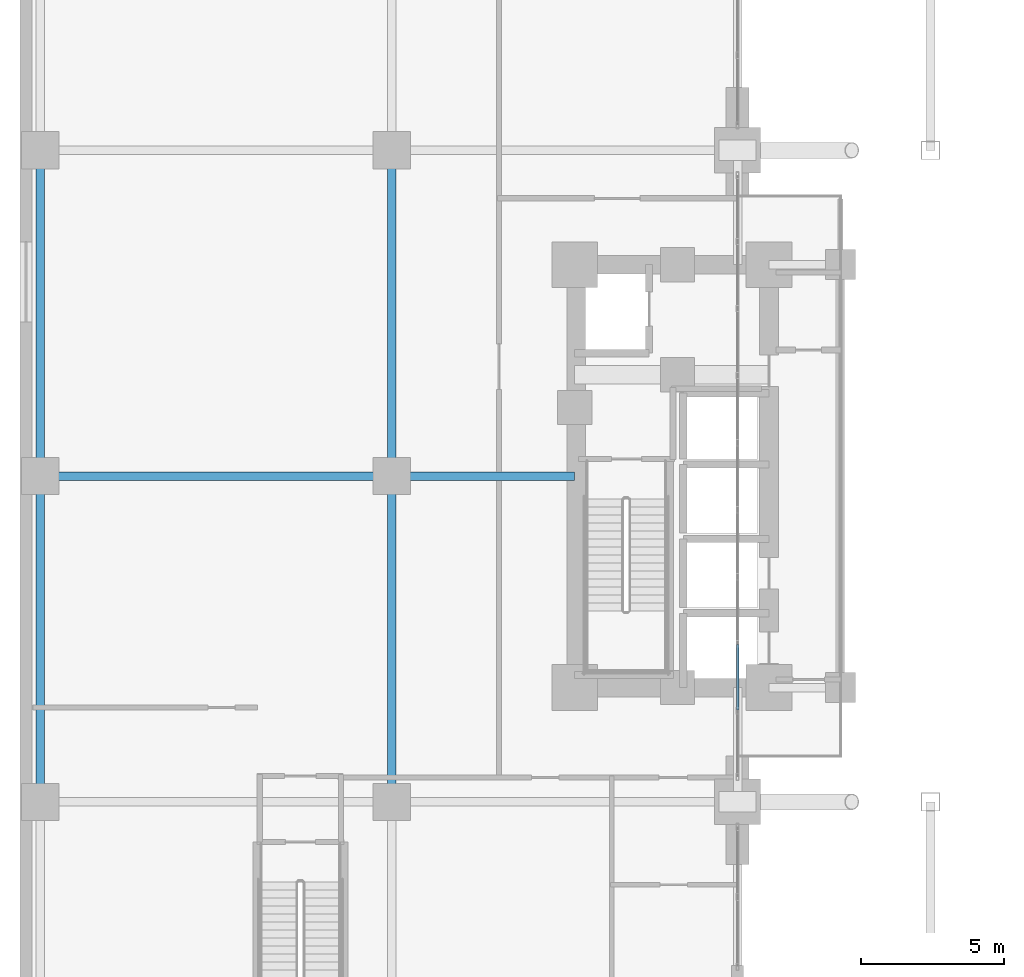
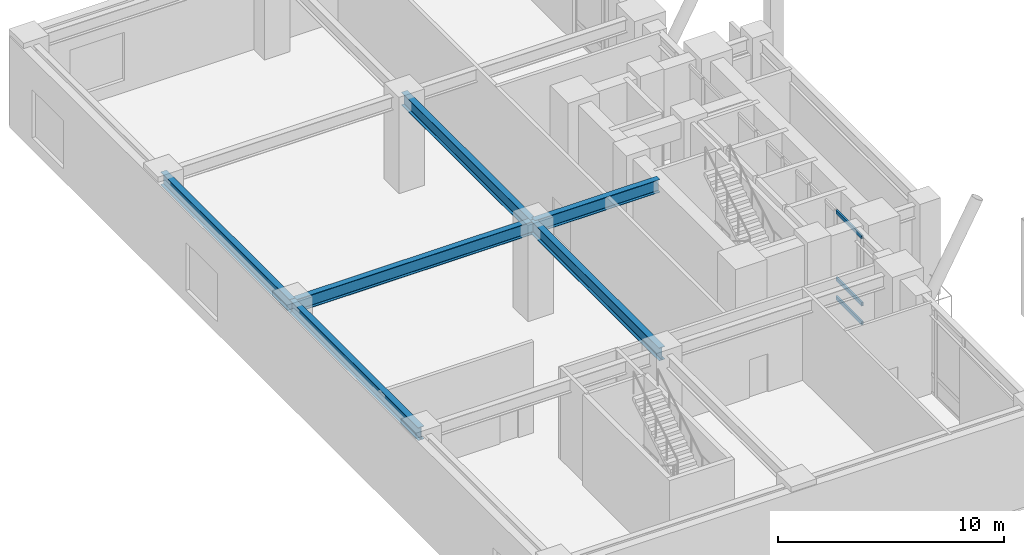
# One storey, part 4 of 27: 6 beams, 3 members, 1 element without a shape of its own.
"""IFC4 building model written with IfcOpenShell, lengths in metres."""

import ifcopenshell
import ifcopenshell.guid

model = None  # the IFC model being written
_history = None  # IfcOwnerHistory: only IFC2X3 demands one
_inside = {}  # id of a spatial element -> (the spatial element, [elements in it])
_under = {}  # id of a project, library or spatial element -> (it, [spatial elements below it])
_declared = {}  # id of a project -> (the project, [libraries it declares])
_typed = {}  # id of a type object -> (the type object, [elements of that type])
_made_of = {}  # id of a material, layer set ... -> (it, [elements and type objects made of it])


def new_model(schema):
    """Start an empty IFC model of exactly this schema.

    Asked for "IFC4X3", IfcOpenShell would pick the latest addendum, in which some entities
    have other attributes; the version numbers below select the first issue.
    IFC2X3 requires an IfcOwnerHistory on every rooted entity: one is made here for all.
    """
    global model, _history
    if schema == "IFC4X3":
        model = ifcopenshell.file(schema_version=(4, 3, 0, 0))
    else:
        model = ifcopenshell.file(schema=schema)
    _inside.clear()
    _under.clear()
    _declared.clear()
    _typed.clear()
    _made_of.clear()
    _history = None
    if model.schema == "IFC2X3":
        org = make("IfcOrganization", Name="unknown")
        user = make(
            "IfcPersonAndOrganization",
            ThePerson=make("IfcPerson", FamilyName="unknown"),
            TheOrganization=org,
        )
        app = make(
            "IfcApplication",
            ApplicationDeveloper=org,
            Version="unknown",
            ApplicationFullName="unknown",
            ApplicationIdentifier="unknown",
        )
        _history = make(
            "IfcOwnerHistory",
            OwningUser=user,
            OwningApplication=app,
            ChangeAction="ADDED",
            CreationDate=0,
        )
    return model


def make(cls, **values):
    """One entity of the class cls with the attributes given. An attribute that is None is left unset."""
    return model.create_entity(
        cls, **{name: value for name, value in values.items() if value is not None}
    )


def rooted(cls, **values):
    """An entity with a GlobalId (a new one), such as an element, a storey or a relation."""
    return make(cls, GlobalId=ifcopenshell.guid.new(), OwnerHistory=_history, **values)


def si_unit(unit_type, name, prefix=None):
    """IfcSIUnit, for example si_unit("LENGTHUNIT", "METRE", prefix="MILLI")."""
    return make("IfcSIUnit", UnitType=unit_type, Prefix=prefix, Name=name)


def assignment(units):
    """IfcUnitAssignment: the units of a project."""
    return None if units is None else make("IfcUnitAssignment", Units=units)


def point(xyz):
    """IfcCartesianPoint."""
    return None if xyz is None else make("IfcCartesianPoint", Coordinates=xyz)


def direction(xyz):
    """IfcDirection."""
    return None if xyz is None else make("IfcDirection", DirectionRatios=xyz)


def frame(location, z_axis=None, x_axis=None):
    """IfcAxis2Placement3D, a coordinate frame: its origin and axes. An axis left out is left unset."""
    return make(
        "IfcAxis2Placement3D",
        Location=point(location),
        Axis=direction(z_axis),
        RefDirection=direction(x_axis),
    )


def frame_2d(location, x_axis=None):
    """IfcAxis2Placement2D, a coordinate frame in the plane: its origin and x axis."""
    return make(
        "IfcAxis2Placement2D", Location=point(location), RefDirection=direction(x_axis)
    )


def origin():
    """The frame at (0, 0, 0) with its axes left unset."""
    return frame((0.0, 0.0, 0.0))


def origin_2d():
    """The frame at (0, 0) in the plane with its x axis left unset."""
    return frame_2d((0.0, 0.0))


def place(relative_to, where):
    """IfcLocalPlacement: puts the frame where relative to a parent placement (None: the world)."""
    return make(
        "IfcLocalPlacement", PlacementRelTo=relative_to, RelativePlacement=where
    )


def context(
    kind, dimensions, precision=None, world=None, true_north=None, identifier=None
):
    """IfcGeometricRepresentationContext, for example the 3D "Model" context."""
    return make(
        "IfcGeometricRepresentationContext",
        ContextIdentifier=identifier,
        ContextType=kind,
        CoordinateSpaceDimension=dimensions,
        Precision=precision,
        WorldCoordinateSystem=world,
        TrueNorth=true_north,
    )


def subcontext(parent, identifier, kind, view, scale=None):
    """IfcGeometricRepresentationSubContext, for example "Body" below "Model"."""
    return make(
        "IfcGeometricRepresentationSubContext",
        ContextIdentifier=identifier,
        ContextType=kind,
        ParentContext=parent,
        TargetScale=scale,
        TargetView=view,
    )


def project(units=None, contexts=None):
    """IfcProject with its units and contexts."""
    return rooted(
        "IfcProject",
        Name="project",
        RepresentationContexts=contexts,
        UnitsInContext=assignment(units),
    )


def spatial(cls, under=None, at=None, **own):
    """A site, building, storey or space (cls), placed at a placement, below another one or the project."""
    s = rooted(cls, ObjectPlacement=at, **own)
    if under is not None:
        _under.setdefault(under.id(), (under, []))[1].append(s)
    return s


def profile(cls, at=None, kind="AREA", **sizes):
    """A parametric profile (cls). Its sizes go by their IFC names, for example OverallWidth=200.0."""
    return make(cls, ProfileType=kind, Position=at, **sizes)


def hollow_rectangle(**sizes):
    """IfcRectangleHollowProfileDef."""
    return profile("IfcRectangleHollowProfileDef", **sizes)


def i_section(**sizes):
    """IfcIShapeProfileDef."""
    return profile("IfcIShapeProfileDef", **sizes)


def extrude(swept, where, along, depth):
    """IfcExtrudedAreaSolid: the profile swept, set in the frame where, extruded along a direction by depth."""
    return make(
        "IfcExtrudedAreaSolid",
        SweptArea=swept,
        Position=where,
        ExtrudedDirection=direction(along),
        Depth=depth,
    )


def shape(context_of_items, identifier, shape_type, items):
    """IfcShapeRepresentation: the items that make up one representation, for example the "Body"."""
    return make(
        "IfcShapeRepresentation",
        ContextOfItems=context_of_items,
        RepresentationIdentifier=identifier,
        RepresentationType=shape_type,
        Items=items,
    )


def material(Name=None, Category=None):
    """IfcMaterial."""
    return make("IfcMaterial", Name=Name, Category=Category)


def layer(
    of_material, thickness, ventilated=None, Name=None, Category=None, Priority=None
):
    """IfcMaterialLayer: one layer of a wall or slab, of a material (None: an air gap)."""
    return make(
        "IfcMaterialLayer",
        Material=of_material,
        LayerThickness=thickness,
        IsVentilated=ventilated,
        Name=Name,
        Category=Category,
        Priority=Priority,
    )


def layer_set(layers, Name=None):
    """IfcMaterialLayerSet."""
    return make("IfcMaterialLayerSet", MaterialLayers=layers, LayerSetName=Name)


def material_profile(
    of_material, cross_section, Name=None, Category=None, Priority=None
):
    """IfcMaterialProfile: a cross section and its material."""
    return make(
        "IfcMaterialProfile",
        Name=Name,
        Material=of_material,
        Profile=cross_section,
        Priority=Priority,
        Category=Category,
    )


def profile_set(profiles, Name=None, composite=None):
    """IfcMaterialProfileSet."""
    return make(
        "IfcMaterialProfileSet",
        Name=Name,
        MaterialProfiles=profiles,
        CompositeProfile=composite,
    )


def made_of(thing, what):
    """Note that an element or type object is made of a material, layer set ...; save() writes the relation."""
    if what is not None:
        _made_of.setdefault(what.id(), (what, []))[1].append(thing)
    return thing


def type_object(cls, material=None, **own):
    """A type object (cls), such as IfcWallType, which elements share."""
    return made_of(rooted(cls, **own), material)


def element(
    cls,
    number,
    at=None,
    inside=None,
    cuts=None,
    type_object=None,
    material=None,
    context=None,
    identifier="Body",
    shape_type=None,
    held_by="IfcProductDefinitionShape",
    body=None,
    shapes=None,
    **own,
):
    """One element of the class cls, such as IfcWall. Its Tag is "e" and its number.

    at: its placement. inside: the storey or other place that contains it. cuts: it is an
    opening in that element (IfcRelVoidsElement). A single representation is given by context,
    identifier, shape_type and body (its items); several are given by shapes. held_by: the class
    of the entity that holds the representations. save() writes the other relations.
    """
    e = rooted(cls, Tag="e%d" % number, ObjectPlacement=at, **own)
    if body is not None:
        shapes = [shape(context, identifier, shape_type, body)]
    if shapes is not None:
        e.Representation = make(held_by, Representations=shapes)
    if inside is not None:
        _inside.setdefault(inside.id(), (inside, []))[1].append(e)
    if cuts is not None:
        rooted(
            "IfcRelVoidsElement", RelatingBuildingElement=cuts, RelatedOpeningElement=e
        )
    if type_object is not None:
        _typed.setdefault(type_object.id(), (type_object, []))[1].append(e)
    return made_of(e, material)


def aggregate(whole, parts):
    """IfcRelAggregates: a whole, such as a stair, and the parts it consists of."""
    return rooted("IfcRelAggregates", RelatingObject=whole, RelatedObjects=parts)


def save(model, path):
    """Write the relations noted so far, then the file.

    IfcRelAggregates (storeys below a building ...), IfcRelContainedInSpatialStructure (elements
    in a storey), IfcRelDefinesByType, IfcRelAssociatesMaterial and IfcRelDeclares: one each for
    every whole, place, type object, material and project.
    """
    for whole, parts in _under.values():
        aggregate(whole, parts)
    for where, things in _inside.values():
        rooted(
            "IfcRelContainedInSpatialStructure",
            RelatedElements=things,
            RelatingStructure=where,
        )
    for kind, things in _typed.values():
        rooted("IfcRelDefinesByType", RelatedObjects=things, RelatingType=kind)
    for what, things in _made_of.values():
        rooted("IfcRelAssociatesMaterial", RelatedObjects=things, RelatingMaterial=what)
    for by, libraries in _declared.values():
        rooted("IfcRelDeclares", RelatingContext=by, RelatedDefinitions=libraries)
    model.write(path)


model = new_model("IFC4")

# Units and contexts
model_context = context("Model", 3, precision=1e-05, world=origin(), true_north=direction((0.0, 1.0)))
body_context = subcontext(model_context, "Body", "Model", "MODEL_VIEW")
ifc_project = project(units=[si_unit("LENGTHUNIT", "METRE"), si_unit("AREAUNIT", "SQUARE_METRE"), si_unit("VOLUMEUNIT", "CUBIC_METRE"), si_unit("PLANEANGLEUNIT", "RADIAN"), si_unit("MASSUNIT", "GRAM", prefix="KILO")], contexts=[model_context])

# Site, building, storey
site_placement = place(None, origin())
site = spatial("IfcSite", under=ifc_project, at=site_placement, CompositionType="ELEMENT")
building_placement = place(site_placement, origin())
building = spatial("IfcBuilding", under=site, at=building_placement, Name="Voryun Gate Residences", CompositionType="ELEMENT")
storey_placement = place(building_placement, frame((0.0, 0.0, 5.199951171875)))
storey = spatial("IfcBuildingStorey", under=building, at=storey_placement, Name="L01", CompositionType="ELEMENT", Elevation=5.199951171875)

# Beams
ifc_material_1 = material(Name="Steel SM355", Category="steel")
ifc_material_profile_1 = material_profile(ifc_material_1, i_section(OverallWidth=0.300048828125, OverallDepth=0.699951171875, WebThickness=0.012939453125, FlangeThickness=0.02392578125, FilletRadius=0.01806640625, at=origin_2d()), Name="H-700x300x13x24")
ifc_profile_set_1 = profile_set([ifc_material_profile_1], Name="Steel SM355")
beam_type = type_object("IfcBeamType", Name="BM_GIRD_700", PredefinedType="USERDEFINED", material=ifc_profile_set_1)
beam_1_placement = place(storey_placement, frame((-37.89990234375, 0.0, 4.570068359375), z_axis=(1.0, 0.0, 0.0), x_axis=(0.0, 1.0, 0.0)))
element("IfcBeam", 1, at=beam_1_placement, inside=storey, type_object=beam_type, Name="BM-L01-PWX-+0.0-0", ObjectType="GIRDER", PredefinedType="USERDEFINED", context=body_context, shape_type="SweptSolid", body=[
    extrude(i_section(OverallWidth=0.300048828125, OverallDepth=0.699951171875, WebThickness=0.012939453125, FlangeThickness=0.02392578125, FilletRadius=0.01806640625, at=origin_2d()), origin(), (0.0, 0.0, 1.0), 12.2998046875),
])
beam_2_placement = place(storey_placement, frame((-25.60009765625, 0.0, 4.570068359375), z_axis=(1.0, 0.0, 0.0), x_axis=(0.0, 1.0, 0.0)))
element("IfcBeam", 2, at=beam_2_placement, inside=storey, type_object=beam_type, Name="BM-L01-PWX-+0.0-1", ObjectType="GIRDER", PredefinedType="USERDEFINED", context=body_context, shape_type="SweptSolid", body=[
    extrude(i_section(OverallWidth=0.300048828125, OverallDepth=0.699951171875, WebThickness=0.012939453125, FlangeThickness=0.02392578125, FilletRadius=0.01806640625, at=origin_2d()), origin(), (0.0, 0.0, 1.0), 6.400146484375),
])
for number, where, z_axis, x_axis, name in (
    (3, (-37.89990234375, -11.39990234375, 4.570068359375), (0.0, 1.0, 0.0), (-1.0, 0.0, 0.0), "BM-L01-PWY--37.9-1"),
    (4, (-37.89990234375, 0.0, 4.570068359375), (0.0, 1.0, 0.0), (-1.0, 0.0, 0.0), "BM-L01-PWY--37.9-2"),
    (5, (-25.60009765625, -11.39990234375, 4.570068359375), (0.0, 1.0, 0.0), (-1.0, 0.0, 0.0), "BM-L01-PWY--25.6-1"),
    (6, (-25.60009765625, 0.0, 4.570068359375), (0.0, 1.0, 0.0), (-1.0, 0.0, 0.0), "BM-L01-PWY--25.6-2"),
):
    element("IfcBeam", number, at=place(storey_placement, frame(where, z_axis=z_axis, x_axis=x_axis)), inside=storey, type_object=beam_type, Name=name, ObjectType="GIRDER", PredefinedType="USERDEFINED", context=body_context, shape_type="SweptSolid", body=[
        extrude(i_section(OverallWidth=0.300048828125, OverallDepth=0.699951171875, WebThickness=0.012939453125, FlangeThickness=0.02392578125, FilletRadius=0.01806640625, at=origin_2d()), origin(), (0.0, 0.0, 1.0), 11.39990234375),
    ])

# Curtain wall, members
ifc_material_2 = material(Name="Anodised aluminium", Category="aluminium")
ifc_layer = layer(ifc_material_2, 0.239990234375, Name="CW_SYS_ARCH_DARK_GLASS")
ifc_layer_set = layer_set([ifc_layer], Name="Anodised aluminium")
curtain_wall_type = type_object("IfcCurtainWallType", Name="CW_SYS_ARCH_DARK_GLASS", PredefinedType="NOTDEFINED", material=ifc_layer_set)
curtain_wall_placement = place(storey_placement, origin())
curtain_wall = element("IfcCurtainWall", 7, at=curtain_wall_placement, inside=storey, type_object=curtain_wall_type, Name="Curtain wall CW2-L01-WP-M", PredefinedType="NOTDEFINED")
ifc_material_3 = material(Name="Anodised aluminium", Category="aluminium")
ifc_material_profile_2 = material_profile(ifc_material_3, hollow_rectangle(XDim=0.090087890625, YDim=0.199951171875, WallThickness=0.006103515625, at=origin_2d()), Name="ALU-TRAN-200x90x6")
ifc_profile_set_2 = profile_set([ifc_material_profile_2], Name="Anodised aluminium")
member_type = type_object("IfcMemberType", Name="CW_TRAN_ARCH", PredefinedType="USERDEFINED", material=ifc_profile_set_2)
member_1_placement = place(storey_placement, frame((-13.5, -8.179443359375, 0.030029296875), z_axis=(0.0, 1.0, 0.0), x_axis=(-1.0, 0.0, 0.0)))
member_1 = element("IfcMember", 8, at=member_1_placement, type_object=member_type, Name="CW2 transom 2.1", ObjectType="TRANSOM", PredefinedType="USERDEFINED", context=body_context, shape_type="SweptSolid", body=[
    extrude(hollow_rectangle(XDim=0.090087890625, YDim=0.199951171875, WallThickness=0.006103515625, at=origin_2d()), origin(), (0.0, 0.0, 1.0), 2.28564453125),
])
member_2_placement = place(storey_placement, frame((-13.5, -8.179443359375, 1.050048828125), z_axis=(0.0, 1.0, 0.0), x_axis=(-1.0, 0.0, 0.0)))
member_2 = element("IfcMember", 9, at=member_2_placement, type_object=member_type, Name="CW2 transom 2.2", ObjectType="TRANSOM", PredefinedType="USERDEFINED", context=body_context, shape_type="SweptSolid", body=[
    extrude(hollow_rectangle(XDim=0.090087890625, YDim=0.199951171875, WallThickness=0.006103515625, at=origin_2d()), origin(), (0.0, 0.0, 1.0), 2.28564453125),
])
member_3_placement = place(storey_placement, frame((-13.5, -8.179443359375, 4.670166015625), z_axis=(0.0, 1.0, 0.0), x_axis=(-1.0, 0.0, 0.0)))
member_3 = element("IfcMember", 10, at=member_3_placement, type_object=member_type, Name="CW2 transom 2.3", ObjectType="TRANSOM", PredefinedType="USERDEFINED", context=body_context, shape_type="SweptSolid", body=[
    extrude(hollow_rectangle(XDim=0.090087890625, YDim=0.199951171875, WallThickness=0.006103515625, at=origin_2d()), origin(), (0.0, 0.0, 1.0), 2.28564453125),
])
aggregate(curtain_wall, [member_1, member_2, member_3])

save(model, "model.ifc")
